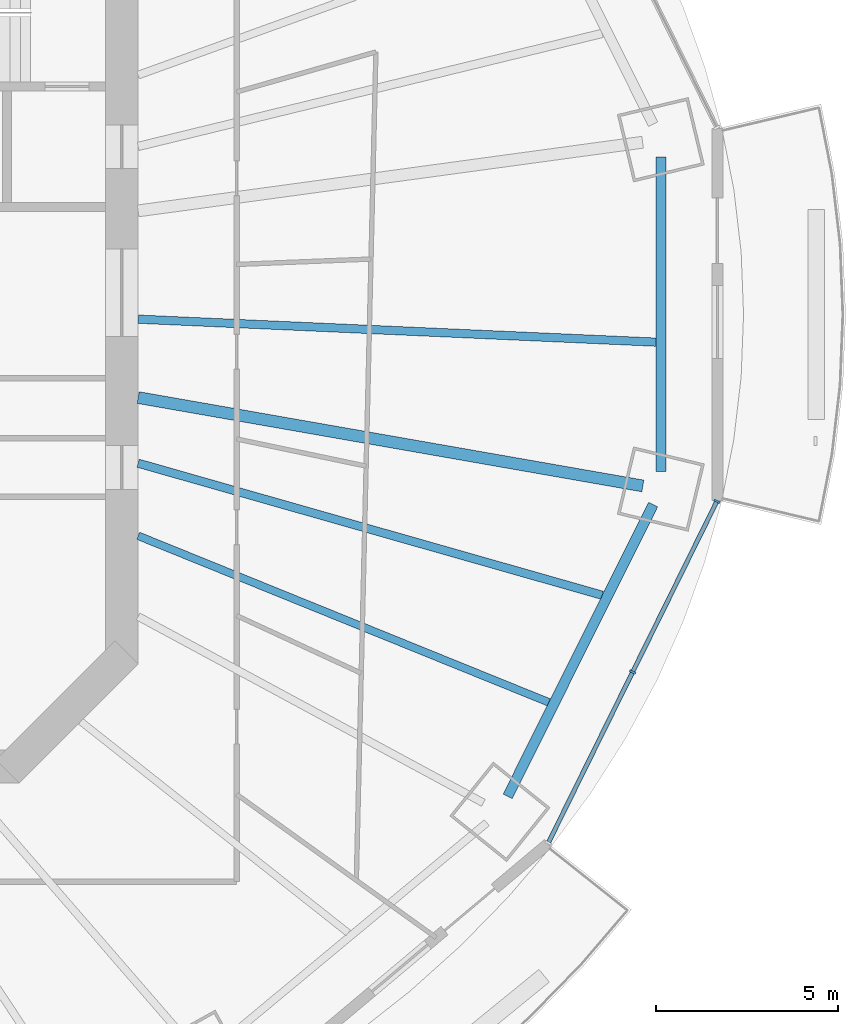
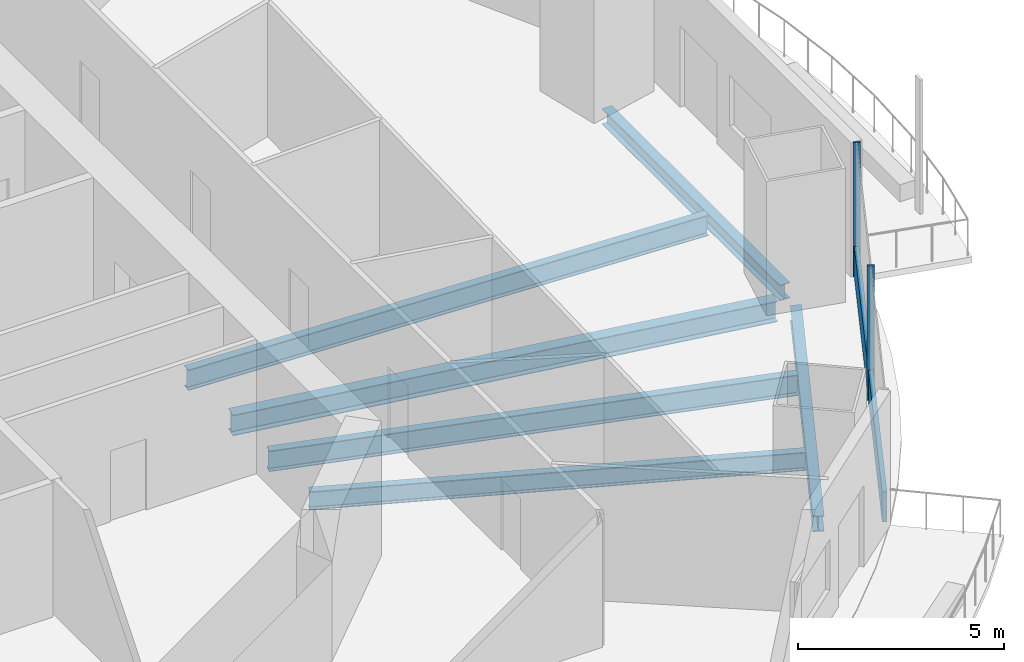
# One storey, part 5 of 20: 6 beams, 3 members, 1 element without a shape of its own.
"""IFC4 building model written with IfcOpenShell, lengths in metres."""

from ifc_helpers import new_model, si_unit, direction, frame, origin, origin_2d, place, context, subcontext, project, spatial, rectangle, i_section, extrude, material, material_profile, profile_set, type_object, element, aggregate, save


model = new_model("IFC4")

# Units and contexts
model_context = context("Model", 3, precision=1e-05, world=origin(), true_north=direction((0.0, 1.0)))
body_context = subcontext(model_context, "Body", "Model", "MODEL_VIEW")
ifc_project = project(units=[si_unit("LENGTHUNIT", "METRE"), si_unit("AREAUNIT", "SQUARE_METRE"), si_unit("VOLUMEUNIT", "CUBIC_METRE"), si_unit("PLANEANGLEUNIT", "RADIAN"), si_unit("MASSUNIT", "GRAM", prefix="KILO")], contexts=[model_context])

# Site, building, storey
site_placement = place(None, origin())
site = spatial("IfcSite", under=ifc_project, at=site_placement, CompositionType="ELEMENT")
building_placement = place(site_placement, origin())
building = spatial("IfcBuilding", under=site, at=building_placement, Name="Marenthal Gate Tower", CompositionType="ELEMENT")
storey_placement = place(building_placement, frame((0.0, 0.0, 210.85009765625)))
storey = spatial("IfcBuildingStorey", under=building, at=storey_placement, Name="L46", CompositionType="ELEMENT", Elevation=210.85009765625)

# Curtain wall, members
ifc_material_1 = material(Name="Aluminium and glass", Category="aluminium")
curtain_wall_type = type_object("IfcCurtainWallType", Name="Curtain wall typical mid", PredefinedType="NOTDEFINED", material=ifc_material_1)
curtain_wall_placement = place(storey_placement, origin())
curtain_wall = element("IfcCurtainWall", 1, at=curtain_wall_placement, inside=storey, type_object=curtain_wall_type, Name="Curtain wall L46 bay 15", PredefinedType="NOTDEFINED")
ifc_material_2 = material(Name="Aluminium", Category="aluminium")
ifc_material_profile_1 = material_profile(ifc_material_2, rectangle(XDim=0.179931640625, YDim=0.06005859375, at=origin_2d()), Name="60x180 aluminium mullion")
ifc_profile_set_1 = profile_set([ifc_material_profile_1], Name="Aluminium")
member_type_1 = type_object("IfcMemberType", Name="Mullion 60x180 typical mid", PredefinedType="MULLION", material=ifc_profile_set_1)
member_1_placement = place(storey_placement, frame((30.007568359375, -10.407470703125, 0.0), z_axis=(0.0, 0.0, 1.0), x_axis=(-0.896756924648, 0.442523466153, 0.0)))
member_1 = element("IfcMember", 2, at=member_1_placement, type_object=member_type_1, Name="Mullion L46 bay 15.2", PredefinedType="MULLION", context=body_context, shape_type="SweptSolid", body=[
    extrude(rectangle(XDim=0.179931640625, YDim=0.06005859375, at=origin_2d()), origin(), (0.0, 0.0, 1.0), 3.969970703125),
])
member_2_placement = place(storey_placement, frame((32.318603515625, -5.724609375, 0.0), z_axis=(0.0, 0.0, 1.0), x_axis=(-0.896756924648, 0.442523466153, 0.0)))
member_2 = element("IfcMember", 3, at=member_2_placement, type_object=member_type_1, Name="Mullion L46 bay 15.3", PredefinedType="MULLION", context=body_context, shape_type="SweptSolid", body=[
    extrude(rectangle(XDim=0.179931640625, YDim=0.06005859375, at=origin_2d()), origin(), (0.0, 0.0, 1.0), 3.969970703125),
])
ifc_material_3 = material(Name="Aluminium", Category="aluminium")
ifc_material_profile_2 = material_profile(ifc_material_3, rectangle(XDim=0.1201171875, YDim=0.89990234375, at=origin_2d()), Name="120x900 aluminium transom")
ifc_profile_set_2 = profile_set([ifc_material_profile_2], Name="Aluminium")
member_type_2 = type_object("IfcMemberType", Name="Transom 120x900 typical mid", PredefinedType="USERDEFINED", material=ifc_profile_set_2)
member_3_placement = place(storey_placement, frame((27.710205078125, -15.063232421875, 0.449951171875), z_axis=(0.44251449594, 0.896761351131, 0.0), x_axis=(-0.896761351131, 0.44251449594, 0.0)))
member_3 = element("IfcMember", 4, at=member_3_placement, type_object=member_type_2, Name="Transom L46 bay 15", ObjectType="TRANSOM", PredefinedType="USERDEFINED", context=body_context, shape_type="SweptSolid", body=[
    extrude(rectangle(XDim=0.1201171875, YDim=0.89990234375, at=origin_2d()), origin(), (0.0, 0.0, 1.0), 10.3837890625),
])
aggregate(curtain_wall, [member_1, member_2, member_3])

# Beams
ifc_material_4 = material(Name="Steel S355", Category="steel")
ifc_material_profile_3 = material_profile(ifc_material_4, i_section(OverallWidth=0.279052734375, OverallDepth=0.4619140625, WebThickness=0.0107421875, FlangeThickness=0.017333984375, FilletRadius=0.010009765625, at=origin_2d()), Name="W460X113")
ifc_profile_set_3 = profile_set([ifc_material_profile_3], Name="Steel S355")
beam_type_1 = type_object("IfcBeamType", Name="W460X113 beam", PredefinedType="BEAM", material=ifc_profile_set_3)
beam_1_placement = place(storey_placement, frame((26.580810546875, -13.81640625, -0.4111328125), z_axis=(0.44619754622, 0.894934494668, 0.0), x_axis=(-0.894934494668, 0.44619754622, 0.0)))
element("IfcBeam", 5, at=beam_1_placement, inside=storey, type_object=beam_type_1, Name="BM-L46-55", PredefinedType="BEAM", context=body_context, shape_type="SweptSolid", body=[
    extrude(i_section(OverallWidth=0.279052734375, OverallDepth=0.4619140625, WebThickness=0.0107421875, FlangeThickness=0.017333984375, FilletRadius=0.010009765625, at=origin_2d()), origin(), (0.0, 0.0, 1.0), 8.941162109375),
])
beam_2_placement = place(storey_placement, frame((30.7822265625, -4.91259765625, -0.4111328125), z_axis=(0.0, 1.0, 0.0), x_axis=(-1.0, 0.0, 0.0)))
element("IfcBeam", 6, at=beam_2_placement, inside=storey, type_object=beam_type_1, Name="BM-L46-56", PredefinedType="BEAM", context=body_context, shape_type="SweptSolid", body=[
    extrude(i_section(OverallWidth=0.279052734375, OverallDepth=0.4619140625, WebThickness=0.0107421875, FlangeThickness=0.017333984375, FilletRadius=0.010009765625, at=origin_2d()), origin(), (0.0, 0.0, 1.0), 8.625244140625),
])
ifc_material_5 = material(Name="Steel S355", Category="steel")
ifc_material_profile_4 = material_profile(ifc_material_5, i_section(OverallWidth=0.2119140625, OverallDepth=0.5439453125, WebThickness=0.01318359375, FlangeThickness=0.021240234375, FilletRadius=0.0126953125, at=origin_2d()), Name="W530X123")
ifc_profile_set_4 = profile_set([ifc_material_profile_4], Name="Steel S355")
beam_type_2 = type_object("IfcBeamType", Name="W530X123 beam", PredefinedType="BEAM", material=ifc_profile_set_4)
beam_3_placement = place(storey_placement, frame((27.7109375, -11.23681640625, -0.4521484375), z_axis=(-0.926706556643, 0.375785787218, 0.0), x_axis=(-0.375785787218, -0.926706556643, 0.0)))
element("IfcBeam", 7, at=beam_3_placement, inside=storey, type_object=beam_type_2, Name="BM-L46-38", PredefinedType="BEAM", context=body_context, shape_type="SweptSolid", body=[
    extrude(i_section(OverallWidth=0.2119140625, OverallDepth=0.5439453125, WebThickness=0.01318359375, FlangeThickness=0.021240234375, FilletRadius=0.0126953125, at=origin_2d()), origin(), (0.0, 0.0, 1.0), 12.151611328125),
])
ifc_material_6 = material(Name="Steel S355", Category="steel")
ifc_material_profile_5 = material_profile(ifc_material_6, i_section(OverallWidth=0.22900390625, OverallDepth=0.612060546875, WebThickness=0.011962890625, FlangeThickness=0.01953125, FilletRadius=0.0126953125, at=origin_2d()), Name="W610X125")
ifc_profile_set_5 = profile_set([ifc_material_profile_5], Name="Steel S355")
beam_type_3 = type_object("IfcBeamType", Name="W610X125 beam", PredefinedType="BEAM", material=ifc_profile_set_5)
beam_4_placement = place(storey_placement, frame((29.1748046875, -8.300537109375, -0.486083984375), z_axis=(-0.961829058202, 0.273650987204, 0.0), x_axis=(-0.273650987204, -0.961829058202, 0.0)))
element("IfcBeam", 8, at=beam_4_placement, inside=storey, type_object=beam_type_3, Name="BM-L46-39", PredefinedType="BEAM", context=body_context, shape_type="SweptSolid", body=[
    extrude(i_section(OverallWidth=0.22900390625, OverallDepth=0.612060546875, WebThickness=0.011962890625, FlangeThickness=0.01953125, FilletRadius=0.0126953125, at=origin_2d()), origin(), (0.0, 0.0, 1.0), 13.229736328125),
])
beam_5_placement = place(storey_placement, frame((30.642578125, -1.360107421875, -0.486083984375), z_axis=(-0.999016616403, 0.044337344887, 0.0), x_axis=(-0.044337344887, -0.999016616403, 0.0)))
element("IfcBeam", 9, at=beam_5_placement, inside=storey, type_object=beam_type_3, Name="BM-L46-40", PredefinedType="BEAM", context=body_context, shape_type="SweptSolid", body=[
    extrude(i_section(OverallWidth=0.22900390625, OverallDepth=0.612060546875, WebThickness=0.011962890625, FlangeThickness=0.01953125, FilletRadius=0.0126953125, at=origin_2d()), origin(), (0.0, 0.0, 1.0), 14.20654296875),
])
ifc_material_7 = material(Name="Steel S355", Category="steel")
ifc_material_profile_6 = material_profile(ifc_material_7, i_section(OverallWidth=0.324951171875, OverallDepth=0.612060546875, WebThickness=0.0126953125, FlangeThickness=0.01904296875, FilletRadius=0.0126953125, at=origin_2d()), Name="W610X155")
ifc_profile_set_6 = profile_set([ifc_material_profile_6], Name="Steel S355")
beam_type_4 = type_object("IfcBeamType", Name="W610X155 beam", PredefinedType="BEAM", material=ifc_profile_set_6)
beam_6_placement = place(storey_placement, frame((30.287841796875, -5.302978515625, -0.486083984375), z_axis=(-0.985015709177, 0.172464641811, 0.0), x_axis=(-0.172464641811, -0.985015709177, 0.0)))
element("IfcBeam", 10, at=beam_6_placement, inside=storey, type_object=beam_type_4, Name="BM-L46-16", PredefinedType="BEAM", context=body_context, shape_type="SweptSolid", body=[
    extrude(i_section(OverallWidth=0.324951171875, OverallDepth=0.612060546875, WebThickness=0.0126953125, FlangeThickness=0.01904296875, FilletRadius=0.0126953125, at=origin_2d()), origin(), (0.0, 0.0, 1.0), 14.04833984375),
])

save(model, "model.ifc")
